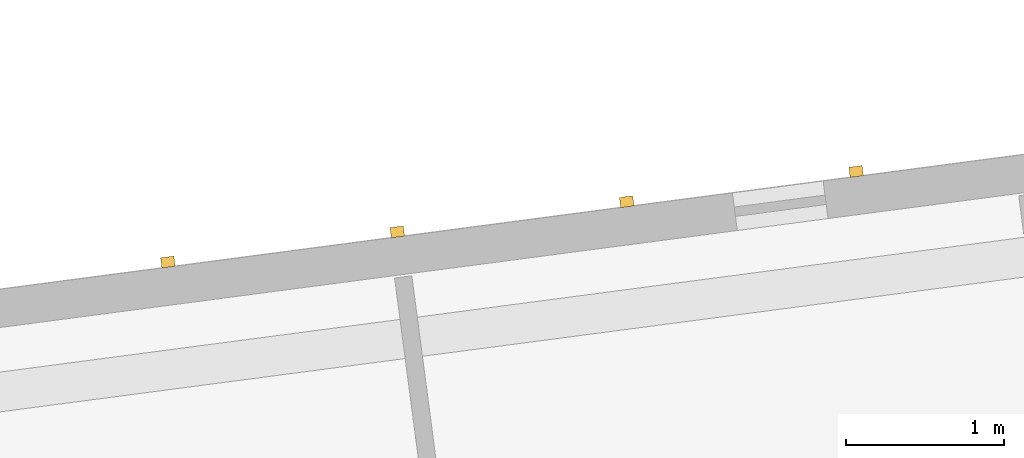
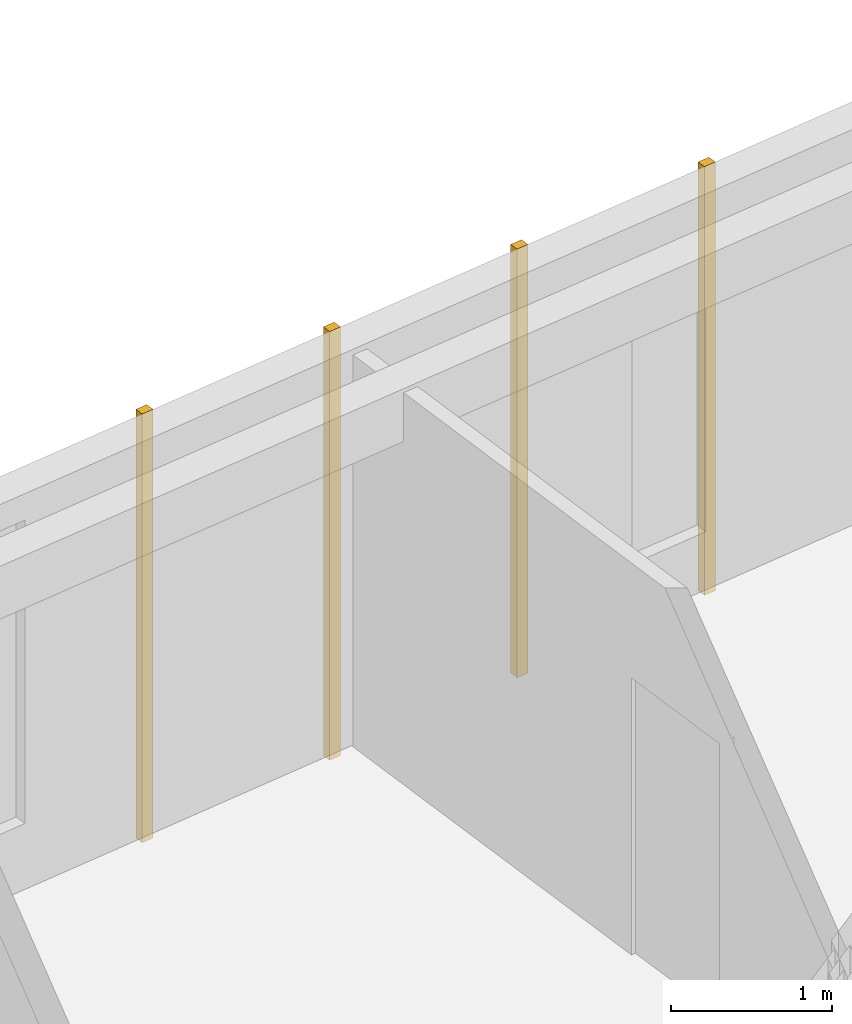
# One storey, part 46 of 65: 4 coverings.
"""IFC4 building model written with IfcOpenShell, lengths in metres."""

from ifc_helpers import new_model, si_unit, direction, frame, origin, origin_2d, place, context, subcontext, project, spatial, rectangle, extrude, material, layer, layer_set, type_object, element, save


model = new_model("IFC4")

# Units and contexts
model_context = context("Model", 3, precision=1e-05, world=origin(), true_north=direction((0.0, 1.0)))
body_context = subcontext(model_context, "Body", "Model", "MODEL_VIEW")
ifc_project = project(units=[si_unit("LENGTHUNIT", "METRE"), si_unit("AREAUNIT", "SQUARE_METRE"), si_unit("VOLUMEUNIT", "CUBIC_METRE"), si_unit("PLANEANGLEUNIT", "RADIAN"), si_unit("MASSUNIT", "GRAM", prefix="KILO")], contexts=[model_context])

# Site, building, storey
site_placement = place(None, origin())
site = spatial("IfcSite", under=ifc_project, at=site_placement, CompositionType="ELEMENT")
building_placement = place(site_placement, origin())
building = spatial("IfcBuilding", under=site, at=building_placement, Name="Kestramere Prow Commons", CompositionType="ELEMENT")
storey_placement = place(building_placement, frame((0.0, 0.0, 21.39990234375)))
storey = spatial("IfcBuildingStorey", under=building, at=storey_placement, Name="L06", CompositionType="ELEMENT", Elevation=21.39990234375)

# Coverings
ifc_material = material(Name="Weathered Zinc-Titanium Standing-Seam Cladding")
ifc_layer = layer(ifc_material, 0.074951171875)
ifc_layer_set = layer_set([ifc_layer], Name="Weathered Zinc-Titanium Standing-Seam Cladding")
covering_type = type_object("IfcCoveringType", Name="COV-CLAD-SEAM", PredefinedType="CLADDING", material=ifc_layer_set)
for number, where, z_axis, x_axis, name in (
    (1, (37.58349609375, 96.329345703125, -0.25), (0.0, 0.0, 1.0), (0.991444861374, 0.13052619222, 0.0), "EW-A-L06-N-3 Standing-Seam Rib 2"),
    (2, (39.03759765625, 96.520751953125, -0.25), (0.0, 0.0, 1.0), (0.991444861374, 0.13052619222, 0.0), "EW-A-L06-N-3 Standing-Seam Rib 3"),
    (3, (40.49169921875, 96.712158203125, -0.25), (0.0, 0.0, 1.0), (0.991444861374, 0.13052619222, 0.0), "EW-A-L06-N-3 Standing-Seam Rib 4"),
    (4, (41.94580078125, 96.903564453125, -0.25), (0.0, 0.0, 1.0), (0.991444861374, 0.13052619222, 0.0), "EW-A-L06-N-3 Standing-Seam Rib 5"),
):
    element("IfcCovering", number, at=place(storey_placement, frame(where, z_axis=z_axis, x_axis=x_axis)), inside=storey, type_object=covering_type, Name=name, PredefinedType="CLADDING", context=body_context, shape_type="SweptSolid", body=[
        extrude(rectangle(XDim=0.0849609375, YDim=0.06494140625, at=origin_2d()), origin(), (0.0, 0.0, 1.0), 3.25),
    ])

save(model, "model.ifc")
